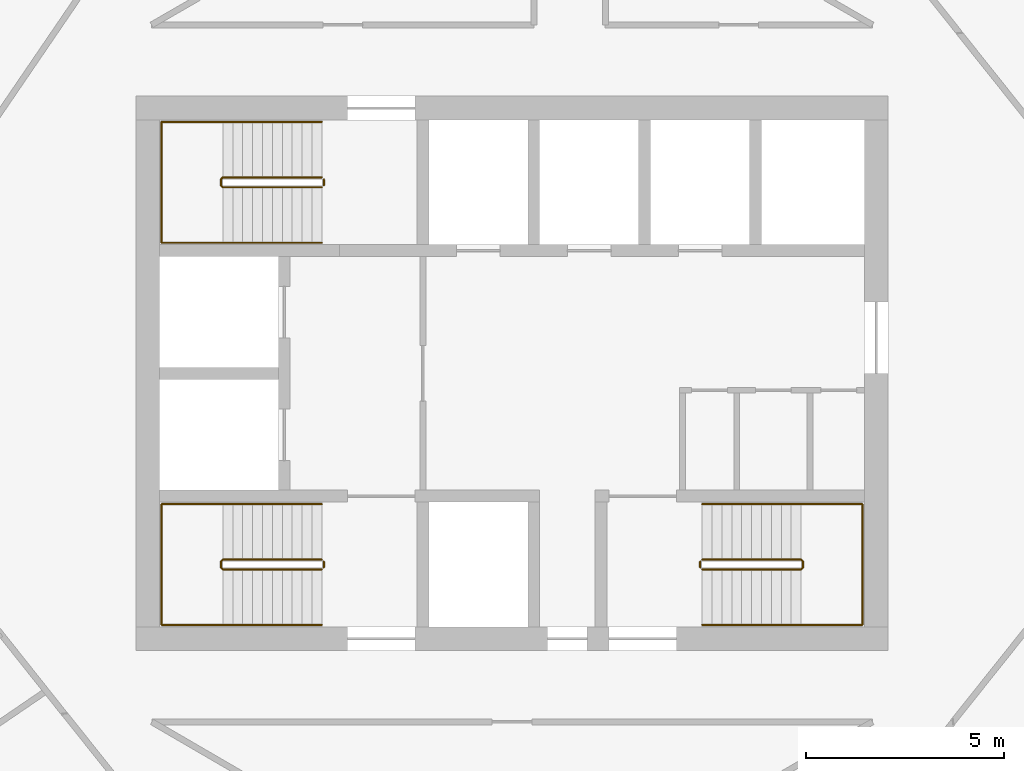
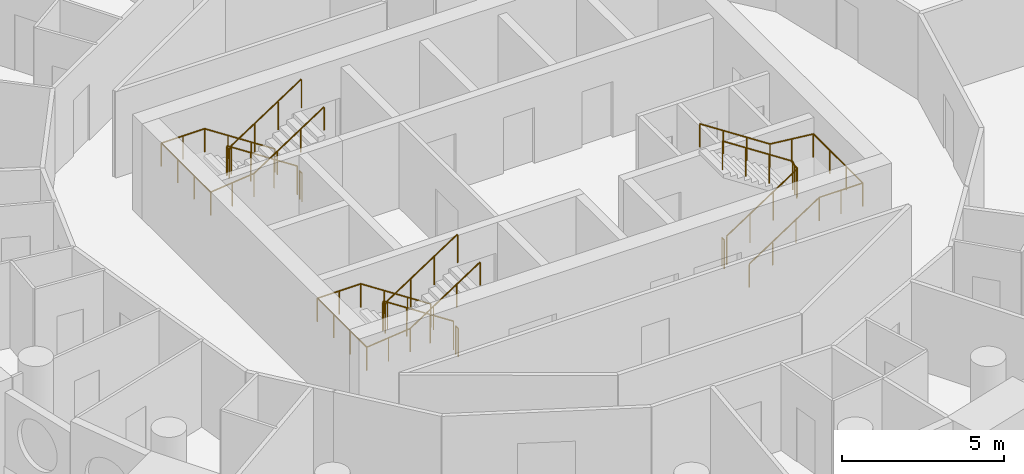
# One storey, part 11 of 11: 9 railings.
"""IFC4 building model written with IfcOpenShell, lengths in metres."""

from ifc_helpers import new_model, si_unit, direction, frame, origin, origin_2d, place, context, subcontext, project, spatial, circle, extrude, material, type_object, element, save


model = new_model("IFC4")

# Units and contexts
model_context = context("Model", 3, precision=1e-05, world=origin(), true_north=direction((0.0, 1.0)))
body_context = subcontext(model_context, "Body", "Model", "MODEL_VIEW")
ifc_project = project(units=[si_unit("LENGTHUNIT", "METRE"), si_unit("AREAUNIT", "SQUARE_METRE"), si_unit("VOLUMEUNIT", "CUBIC_METRE"), si_unit("PLANEANGLEUNIT", "RADIAN"), si_unit("MASSUNIT", "GRAM", prefix="KILO")], contexts=[model_context])

# Site, building, storey
site_placement = place(None, origin())
site = spatial("IfcSite", under=ifc_project, at=site_placement, CompositionType="ELEMENT")
building_placement = place(site_placement, origin())
building = spatial("IfcBuilding", under=site, at=building_placement, Name="Tracery Tower", CompositionType="ELEMENT")
storey_placement = place(building_placement, frame((0.0, 0.0, 267.0)))
storey = spatial("IfcBuildingStorey", under=building, at=storey_placement, Name="L69", CompositionType="ELEMENT", Elevation=267.0)

# Railings
ifc_material_1 = material(Name="Stainless steel and laminated glass", Category="steel")
railing_type_1 = type_object("IfcRailingType", Name="Stair guard 1100", PredefinedType="GUARDRAIL", material=ifc_material_1)
railing_1_placement = place(storey_placement, frame((-4.800048828125, -4.699951171875, 0.16357421875)))
element("IfcRailing", 1, at=railing_1_placement, inside=storey, type_object=railing_type_1, Name="L69 stair ST1 guard 1", PredefinedType="GUARDRAIL", context=body_context, shape_type="SweptSolid", body=[
    extrude(circle(Radius=0.02392578125, at=origin_2d()), frame((0.0, 0.0, 1.076171875), z_axis=(-0.83668449804, 0.0, 0.54768517484), x_axis=(0.0, -1.0, 0.0)), (0.0, 0.0, 1.0), 2.988037109375),
    extrude(circle(Radius=0.02392578125, at=origin_2d()), frame((-2.5, 0.0, 2.71240234375), z_axis=(-0.707106781187, -0.707106781187, 0.0), x_axis=(0.707106781187, -0.707106781187, 0.0)), (0.0, 0.0, 1.0), 0.07080078125),
    extrude(circle(Radius=0.02392578125, at=origin_2d()), frame((-2.550048828125, -0.050048828125, 2.71240234375), z_axis=(0.0, -1.0, 0.0), x_axis=(1.0, 0.0, 0.0)), (0.0, 0.0, 1.0), 0.14990234375),
    extrude(circle(Radius=0.02392578125, at=origin_2d()), frame((-2.550048828125, -0.199951171875, 2.71240234375), z_axis=(0.280808744504, -0.280808744504, 0.917765164963), x_axis=(0.707106781187, 0.707106781187, 0.0)), (0.0, 0.0, 1.0), 0.17822265625),
    extrude(circle(Radius=0.02392578125, at=origin_2d()), frame((-2.5, -0.25, 2.8759765625), z_axis=(0.83668449804, 0.0, 0.54768517484), x_axis=(0.0, 1.0, 0.0)), (0.0, 0.0, 1.0), 2.988037109375),
    extrude(circle(Radius=0.02099609375, at=origin_2d()), origin(), (0.0, 0.0, 1.0), 1.052001953125),
    extrude(circle(Radius=0.02099609375, at=origin_2d()), frame((-0.833251953125, 0.0, 0.54541015625)), (0.0, 0.0, 1.0), 1.052001953125),
    extrude(circle(Radius=0.02099609375, at=origin_2d()), frame((-1.666748046875, 0.0, 1.091064453125)), (0.0, 0.0, 1.0), 1.052001953125),
    extrude(circle(Radius=0.02099609375, at=origin_2d()), frame((-2.5, 0.0, 1.636474609375)), (0.0, 0.0, 1.0), 1.052001953125),
    extrude(circle(Radius=0.02099609375, at=origin_2d()), frame((-2.550048828125, -0.050048828125, 1.636474609375)), (0.0, 0.0, 1.0), 1.052001953125),
    extrude(circle(Radius=0.02099609375, at=origin_2d()), frame((-2.550048828125, -0.199951171875, 1.636474609375)), (0.0, 0.0, 1.0), 1.052001953125),
    extrude(circle(Radius=0.02099609375, at=origin_2d()), frame((-2.5, -0.25, 1.800048828125)), (0.0, 0.0, 1.0), 1.052001953125),
    extrude(circle(Radius=0.02099609375, at=origin_2d()), frame((-1.666748046875, -0.25, 2.345458984375)), (0.0, 0.0, 1.0), 1.052001953125),
    extrude(circle(Radius=0.02099609375, at=origin_2d()), frame((-0.833251953125, -0.25, 2.89111328125)), (0.0, 0.0, 1.0), 1.052001953125),
    extrude(circle(Radius=0.02099609375, at=origin_2d()), frame((0.0, -0.25, 3.4365234375)), (0.0, 0.0, 1.0), 1.052001953125),
])
railing_2_placement = place(storey_placement, frame((-4.75, -4.75, 0.0)))
element("IfcRailing", 2, at=railing_2_placement, inside=storey, type_object=railing_type_1, Name="L69 stair ST1 guard 2", PredefinedType="GUARDRAIL", context=body_context, shape_type="SweptSolid", body=[
    extrude(circle(Radius=0.02392578125, at=origin_2d()), frame((0.0, 0.0, 1.076171875), z_axis=(0.0, -1.0, 0.0), x_axis=(1.0, 0.0, 0.0)), (0.0, 0.0, 1.0), 0.14990234375),
    extrude(circle(Radius=0.02099609375, at=origin_2d()), origin(), (0.0, 0.0, 1.0), 1.052001953125),
    extrude(circle(Radius=0.02099609375, at=origin_2d()), frame((0.0, -0.14990234375, 0.0)), (0.0, 0.0, 1.0), 1.052001953125),
])
railing_3_placement = place(storey_placement, frame((-4.800048828125, 4.949951171875, 0.16357421875)))
element("IfcRailing", 3, at=railing_3_placement, inside=storey, type_object=railing_type_1, Name="L69 stair ST3 guard 1", PredefinedType="GUARDRAIL", context=body_context, shape_type="SweptSolid", body=[
    extrude(circle(Radius=0.02392578125, at=origin_2d()), frame((0.0, 0.0, 1.076171875), z_axis=(-0.83668449804, 0.0, 0.54768517484), x_axis=(0.0, -1.0, 0.0)), (0.0, 0.0, 1.0), 2.988037109375),
    extrude(circle(Radius=0.02392578125, at=origin_2d()), frame((-2.5, 0.0, 2.71240234375), z_axis=(-0.707106781187, -0.707106781187, 0.0), x_axis=(0.707106781187, -0.707106781187, 0.0)), (0.0, 0.0, 1.0), 0.07080078125),
    extrude(circle(Radius=0.02392578125, at=origin_2d()), frame((-2.550048828125, -0.050048828125, 2.71240234375), z_axis=(0.0, -1.0, 0.0), x_axis=(1.0, 0.0, 0.0)), (0.0, 0.0, 1.0), 0.14990234375),
    extrude(circle(Radius=0.02392578125, at=origin_2d()), frame((-2.550048828125, -0.199951171875, 2.71240234375), z_axis=(0.280808744504, -0.280808744504, 0.917765164963), x_axis=(0.707106781187, 0.707106781187, 0.0)), (0.0, 0.0, 1.0), 0.17822265625),
    extrude(circle(Radius=0.02392578125, at=origin_2d()), frame((-2.5, -0.25, 2.8759765625), z_axis=(0.83668449804, 0.0, 0.54768517484), x_axis=(0.0, 1.0, 0.0)), (0.0, 0.0, 1.0), 2.988037109375),
    extrude(circle(Radius=0.02099609375, at=origin_2d()), origin(), (0.0, 0.0, 1.0), 1.052001953125),
    extrude(circle(Radius=0.02099609375, at=origin_2d()), frame((-0.833251953125, 0.0, 0.54541015625)), (0.0, 0.0, 1.0), 1.052001953125),
    extrude(circle(Radius=0.02099609375, at=origin_2d()), frame((-1.666748046875, 0.0, 1.091064453125)), (0.0, 0.0, 1.0), 1.052001953125),
    extrude(circle(Radius=0.02099609375, at=origin_2d()), frame((-2.5, 0.0, 1.636474609375)), (0.0, 0.0, 1.0), 1.052001953125),
    extrude(circle(Radius=0.02099609375, at=origin_2d()), frame((-2.550048828125, -0.050048828125, 1.636474609375)), (0.0, 0.0, 1.0), 1.052001953125),
    extrude(circle(Radius=0.02099609375, at=origin_2d()), frame((-2.550048828125, -0.199951171875, 1.636474609375)), (0.0, 0.0, 1.0), 1.052001953125),
    extrude(circle(Radius=0.02099609375, at=origin_2d()), frame((-2.5, -0.25, 1.800048828125)), (0.0, 0.0, 1.0), 1.052001953125),
    extrude(circle(Radius=0.02099609375, at=origin_2d()), frame((-1.666748046875, -0.25, 2.345458984375)), (0.0, 0.0, 1.0), 1.052001953125),
    extrude(circle(Radius=0.02099609375, at=origin_2d()), frame((-0.833251953125, -0.25, 2.89111328125)), (0.0, 0.0, 1.0), 1.052001953125),
    extrude(circle(Radius=0.02099609375, at=origin_2d()), frame((0.0, -0.25, 3.4365234375)), (0.0, 0.0, 1.0), 1.052001953125),
])
railing_4_placement = place(storey_placement, frame((-4.75, 4.89990234375, 0.0)))
element("IfcRailing", 4, at=railing_4_placement, inside=storey, type_object=railing_type_1, Name="L69 stair ST3 guard 2", PredefinedType="GUARDRAIL", context=body_context, shape_type="SweptSolid", body=[
    extrude(circle(Radius=0.02392578125, at=origin_2d()), frame((0.0, 0.0, 1.076171875), z_axis=(0.0, -1.0, 0.0), x_axis=(1.0, 0.0, 0.0)), (0.0, 0.0, 1.0), 0.14990234375),
    extrude(circle(Radius=0.02099609375, at=origin_2d()), origin(), (0.0, 0.0, 1.0), 1.052001953125),
    extrude(circle(Radius=0.02099609375, at=origin_2d()), frame((0.0, -0.14990234375, 0.0)), (0.0, 0.0, 1.0), 1.052001953125),
])
railing_5_placement = place(storey_placement, frame((4.800048828125, -4.949951171875, 0.16357421875)))
element("IfcRailing", 5, at=railing_5_placement, inside=storey, type_object=railing_type_1, Name="L69 stair ST2 guard 1", PredefinedType="GUARDRAIL", context=body_context, shape_type="SweptSolid", body=[
    extrude(circle(Radius=0.02392578125, at=origin_2d()), frame((0.0, 0.0, 1.076171875), z_axis=(0.83668449804, 0.0, 0.54768517484), x_axis=(0.0, 1.0, 0.0)), (0.0, 0.0, 1.0), 2.988037109375),
    extrude(circle(Radius=0.02392578125, at=origin_2d()), frame((2.5, 0.0, 2.71240234375), z_axis=(0.707106781187, 0.707106781187, 0.0), x_axis=(-0.707106781187, 0.707106781187, 0.0)), (0.0, 0.0, 1.0), 0.07080078125),
    extrude(circle(Radius=0.02392578125, at=origin_2d()), frame((2.550048828125, 0.050048828125, 2.71240234375), z_axis=(0.0, 1.0, 0.0), x_axis=(-1.0, 0.0, 0.0)), (0.0, 0.0, 1.0), 0.14990234375),
    extrude(circle(Radius=0.02392578125, at=origin_2d()), frame((2.550048828125, 0.199951171875, 2.71240234375), z_axis=(-0.280808744504, 0.280808744504, 0.917765164963), x_axis=(-0.707106781187, -0.707106781187, 0.0)), (0.0, 0.0, 1.0), 0.17822265625),
    extrude(circle(Radius=0.02392578125, at=origin_2d()), frame((2.5, 0.25, 2.8759765625), z_axis=(-0.83668449804, 0.0, 0.54768517484), x_axis=(0.0, -1.0, 0.0)), (0.0, 0.0, 1.0), 2.988037109375),
    extrude(circle(Radius=0.02099609375, at=origin_2d()), origin(), (0.0, 0.0, 1.0), 1.052001953125),
    extrude(circle(Radius=0.02099609375, at=origin_2d()), frame((0.833251953125, 0.0, 0.54541015625)), (0.0, 0.0, 1.0), 1.052001953125),
    extrude(circle(Radius=0.02099609375, at=origin_2d()), frame((1.666748046875, 0.0, 1.091064453125)), (0.0, 0.0, 1.0), 1.052001953125),
    extrude(circle(Radius=0.02099609375, at=origin_2d()), frame((2.5, 0.0, 1.636474609375)), (0.0, 0.0, 1.0), 1.052001953125),
    extrude(circle(Radius=0.02099609375, at=origin_2d()), frame((2.550048828125, 0.050048828125, 1.636474609375)), (0.0, 0.0, 1.0), 1.052001953125),
    extrude(circle(Radius=0.02099609375, at=origin_2d()), frame((2.550048828125, 0.199951171875, 1.636474609375)), (0.0, 0.0, 1.0), 1.052001953125),
    extrude(circle(Radius=0.02099609375, at=origin_2d()), frame((2.5, 0.25, 1.800048828125)), (0.0, 0.0, 1.0), 1.052001953125),
    extrude(circle(Radius=0.02099609375, at=origin_2d()), frame((1.666748046875, 0.25, 2.345458984375)), (0.0, 0.0, 1.0), 1.052001953125),
    extrude(circle(Radius=0.02099609375, at=origin_2d()), frame((0.833251953125, 0.25, 2.89111328125)), (0.0, 0.0, 1.0), 1.052001953125),
    extrude(circle(Radius=0.02099609375, at=origin_2d()), frame((0.0, 0.25, 3.4365234375)), (0.0, 0.0, 1.0), 1.052001953125),
])
railing_6_placement = place(storey_placement, frame((4.75, -4.89990234375, 0.0)))
element("IfcRailing", 6, at=railing_6_placement, inside=storey, type_object=railing_type_1, Name="L69 stair ST2 guard 2", PredefinedType="GUARDRAIL", context=body_context, shape_type="SweptSolid", body=[
    extrude(circle(Radius=0.02392578125, at=origin_2d()), frame((0.0, 0.0, 1.076171875), z_axis=(0.0, 1.0, 0.0), x_axis=(-1.0, 0.0, 0.0)), (0.0, 0.0, 1.0), 0.14990234375),
    extrude(circle(Radius=0.02099609375, at=origin_2d()), origin(), (0.0, 0.0, 1.0), 1.052001953125),
    extrude(circle(Radius=0.02099609375, at=origin_2d()), frame((0.0, 0.14990234375, 0.0)), (0.0, 0.0, 1.0), 1.052001953125),
])
ifc_material_2 = material(Name="Stainless steel and laminated glass", Category="steel")
railing_type_2 = type_object("IfcRailingType", Name="Stair handrail 900", PredefinedType="HANDRAIL", material=ifc_material_2)
railing_7_placement = place(storey_placement, frame((-4.800048828125, -3.300048828125, 0.16357421875)))
element("IfcRailing", 7, at=railing_7_placement, inside=storey, type_object=railing_type_2, Name="L69 stair ST1 handrail 1", PredefinedType="HANDRAIL", context=body_context, shape_type="SweptSolid", body=[
    extrude(circle(Radius=0.02392578125, at=origin_2d()), frame((0.0, 0.0, 0.8759765625), z_axis=(-0.83668449804, 0.0, 0.54768517484), x_axis=(0.0, -1.0, 0.0)), (0.0, 0.0, 1.0), 2.988037109375),
    extrude(circle(Radius=0.02392578125, at=origin_2d()), frame((-2.5, 0.0, 2.51220703125), z_axis=(-1.0, 0.0, 0.0), x_axis=(0.0, -1.0, 0.0)), (0.0, 0.0, 1.0), 1.550048828125),
    extrude(circle(Radius=0.02392578125, at=origin_2d()), frame((-4.050048828125, 0.0, 2.51220703125), z_axis=(0.0, -1.0, 0.0), x_axis=(1.0, 0.0, 0.0)), (0.0, 0.0, 1.0), 3.050048828125),
    extrude(circle(Radius=0.02392578125, at=origin_2d()), frame((-4.050048828125, -3.050048828125, 2.51220703125), z_axis=(0.994477953863, 0.0, 0.104945696817), x_axis=(0.0, 1.0, 0.0)), (0.0, 0.0, 1.0), 1.55859375),
    extrude(circle(Radius=0.02392578125, at=origin_2d()), frame((-2.5, -3.050048828125, 2.67578125), z_axis=(0.83668449804, 0.0, 0.54768517484), x_axis=(0.0, 1.0, 0.0)), (0.0, 0.0, 1.0), 2.988037109375),
    extrude(circle(Radius=0.02099609375, at=origin_2d()), origin(), (0.0, 0.0, 1.0), 0.851806640625),
    extrude(circle(Radius=0.02099609375, at=origin_2d()), frame((-0.833251953125, 0.0, 0.54541015625)), (0.0, 0.0, 1.0), 0.851806640625),
    extrude(circle(Radius=0.02099609375, at=origin_2d()), frame((-1.666748046875, 0.0, 1.091064453125)), (0.0, 0.0, 1.0), 0.851806640625),
    extrude(circle(Radius=0.02099609375, at=origin_2d()), frame((-2.5, 0.0, 1.636474609375)), (0.0, 0.0, 1.0), 0.851806640625),
    extrude(circle(Radius=0.02099609375, at=origin_2d()), frame((-3.27490234375, 0.0, 1.636474609375)), (0.0, 0.0, 1.0), 0.851806640625),
    extrude(circle(Radius=0.02099609375, at=origin_2d()), frame((-4.050048828125, 0.0, 1.636474609375)), (0.0, 0.0, 1.0), 0.851806640625),
    extrude(circle(Radius=0.02099609375, at=origin_2d()), frame((-4.050048828125, -1.0166015625, 1.636474609375)), (0.0, 0.0, 1.0), 0.851806640625),
    extrude(circle(Radius=0.02099609375, at=origin_2d()), frame((-4.050048828125, -2.033447265625, 1.636474609375)), (0.0, 0.0, 1.0), 0.851806640625),
    extrude(circle(Radius=0.02099609375, at=origin_2d()), frame((-4.050048828125, -3.050048828125, 1.636474609375)), (0.0, 0.0, 1.0), 0.851806640625),
    extrude(circle(Radius=0.02099609375, at=origin_2d()), frame((-3.27490234375, -3.050048828125, 1.71826171875)), (0.0, 0.0, 1.0), 0.851806640625),
    extrude(circle(Radius=0.02099609375, at=origin_2d()), frame((-2.5, -3.050048828125, 1.800048828125)), (0.0, 0.0, 1.0), 0.851806640625),
    extrude(circle(Radius=0.02099609375, at=origin_2d()), frame((-1.666748046875, -3.050048828125, 2.345458984375)), (0.0, 0.0, 1.0), 0.851806640625),
    extrude(circle(Radius=0.02099609375, at=origin_2d()), frame((-0.833251953125, -3.050048828125, 2.89111328125)), (0.0, 0.0, 1.0), 0.851806640625),
    extrude(circle(Radius=0.02099609375, at=origin_2d()), frame((0.0, -3.050048828125, 3.4365234375)), (0.0, 0.0, 1.0), 0.851806640625),
])
railing_8_placement = place(storey_placement, frame((-4.800048828125, 6.35009765625, 0.16357421875)))
element("IfcRailing", 8, at=railing_8_placement, inside=storey, type_object=railing_type_2, Name="L69 stair ST3 handrail 1", PredefinedType="HANDRAIL", context=body_context, shape_type="SweptSolid", body=[
    extrude(circle(Radius=0.02392578125, at=origin_2d()), frame((0.0, 0.0, 0.8759765625), z_axis=(-0.83668449804, 0.0, 0.54768517484), x_axis=(0.0, -1.0, 0.0)), (0.0, 0.0, 1.0), 2.988037109375),
    extrude(circle(Radius=0.02392578125, at=origin_2d()), frame((-2.5, 0.0, 2.51220703125), z_axis=(-1.0, 0.0, 0.0), x_axis=(0.0, -1.0, 0.0)), (0.0, 0.0, 1.0), 1.550048828125),
    extrude(circle(Radius=0.02392578125, at=origin_2d()), frame((-4.050048828125, 0.0, 2.51220703125), z_axis=(0.0, -1.0, 0.0), x_axis=(1.0, 0.0, 0.0)), (0.0, 0.0, 1.0), 3.050048828125),
    extrude(circle(Radius=0.02392578125, at=origin_2d()), frame((-4.050048828125, -3.050048828125, 2.51220703125), z_axis=(0.994477953863, 0.0, 0.104945696817), x_axis=(0.0, 1.0, 0.0)), (0.0, 0.0, 1.0), 1.55859375),
    extrude(circle(Radius=0.02392578125, at=origin_2d()), frame((-2.5, -3.050048828125, 2.67578125), z_axis=(0.83668449804, 0.0, 0.54768517484), x_axis=(0.0, 1.0, 0.0)), (0.0, 0.0, 1.0), 2.988037109375),
    extrude(circle(Radius=0.02099609375, at=origin_2d()), origin(), (0.0, 0.0, 1.0), 0.851806640625),
    extrude(circle(Radius=0.02099609375, at=origin_2d()), frame((-0.833251953125, 0.0, 0.54541015625)), (0.0, 0.0, 1.0), 0.851806640625),
    extrude(circle(Radius=0.02099609375, at=origin_2d()), frame((-1.666748046875, 0.0, 1.091064453125)), (0.0, 0.0, 1.0), 0.851806640625),
    extrude(circle(Radius=0.02099609375, at=origin_2d()), frame((-2.5, 0.0, 1.636474609375)), (0.0, 0.0, 1.0), 0.851806640625),
    extrude(circle(Radius=0.02099609375, at=origin_2d()), frame((-3.27490234375, 0.0, 1.636474609375)), (0.0, 0.0, 1.0), 0.851806640625),
    extrude(circle(Radius=0.02099609375, at=origin_2d()), frame((-4.050048828125, 0.0, 1.636474609375)), (0.0, 0.0, 1.0), 0.851806640625),
    extrude(circle(Radius=0.02099609375, at=origin_2d()), frame((-4.050048828125, -1.0166015625, 1.636474609375)), (0.0, 0.0, 1.0), 0.851806640625),
    extrude(circle(Radius=0.02099609375, at=origin_2d()), frame((-4.050048828125, -2.033447265625, 1.636474609375)), (0.0, 0.0, 1.0), 0.851806640625),
    extrude(circle(Radius=0.02099609375, at=origin_2d()), frame((-4.050048828125, -3.050048828125, 1.636474609375)), (0.0, 0.0, 1.0), 0.851806640625),
    extrude(circle(Radius=0.02099609375, at=origin_2d()), frame((-3.27490234375, -3.050048828125, 1.71826171875)), (0.0, 0.0, 1.0), 0.851806640625),
    extrude(circle(Radius=0.02099609375, at=origin_2d()), frame((-2.5, -3.050048828125, 1.800048828125)), (0.0, 0.0, 1.0), 0.851806640625),
    extrude(circle(Radius=0.02099609375, at=origin_2d()), frame((-1.666748046875, -3.050048828125, 2.345458984375)), (0.0, 0.0, 1.0), 0.851806640625),
    extrude(circle(Radius=0.02099609375, at=origin_2d()), frame((-0.833251953125, -3.050048828125, 2.89111328125)), (0.0, 0.0, 1.0), 0.851806640625),
    extrude(circle(Radius=0.02099609375, at=origin_2d()), frame((0.0, -3.050048828125, 3.4365234375)), (0.0, 0.0, 1.0), 0.851806640625),
])
railing_9_placement = place(storey_placement, frame((4.800048828125, -6.35009765625, 0.16357421875)))
element("IfcRailing", 9, at=railing_9_placement, inside=storey, type_object=railing_type_2, Name="L69 stair ST2 handrail 1", PredefinedType="HANDRAIL", context=body_context, shape_type="SweptSolid", body=[
    extrude(circle(Radius=0.02392578125, at=origin_2d()), frame((0.0, 0.0, 0.8759765625), z_axis=(0.83668449804, 0.0, 0.54768517484), x_axis=(0.0, 1.0, 0.0)), (0.0, 0.0, 1.0), 2.988037109375),
    extrude(circle(Radius=0.02392578125, at=origin_2d()), frame((2.5, 0.0, 2.51220703125), z_axis=(1.0, 0.0, 0.0), x_axis=(0.0, 1.0, 0.0)), (0.0, 0.0, 1.0), 1.550048828125),
    extrude(circle(Radius=0.02392578125, at=origin_2d()), frame((4.050048828125, 0.0, 2.51220703125), z_axis=(0.0, 1.0, 0.0), x_axis=(-1.0, 0.0, 0.0)), (0.0, 0.0, 1.0), 3.050048828125),
    extrude(circle(Radius=0.02392578125, at=origin_2d()), frame((4.050048828125, 3.050048828125, 2.51220703125), z_axis=(-0.994477953863, 0.0, 0.104945696817), x_axis=(0.0, -1.0, 0.0)), (0.0, 0.0, 1.0), 1.55859375),
    extrude(circle(Radius=0.02392578125, at=origin_2d()), frame((2.5, 3.050048828125, 2.67578125), z_axis=(-0.83668449804, 0.0, 0.54768517484), x_axis=(0.0, -1.0, 0.0)), (0.0, 0.0, 1.0), 2.988037109375),
    extrude(circle(Radius=0.02099609375, at=origin_2d()), origin(), (0.0, 0.0, 1.0), 0.851806640625),
    extrude(circle(Radius=0.02099609375, at=origin_2d()), frame((0.833251953125, 0.0, 0.54541015625)), (0.0, 0.0, 1.0), 0.851806640625),
    extrude(circle(Radius=0.02099609375, at=origin_2d()), frame((1.666748046875, 0.0, 1.091064453125)), (0.0, 0.0, 1.0), 0.851806640625),
    extrude(circle(Radius=0.02099609375, at=origin_2d()), frame((2.5, 0.0, 1.636474609375)), (0.0, 0.0, 1.0), 0.851806640625),
    extrude(circle(Radius=0.02099609375, at=origin_2d()), frame((3.27490234375, 0.0, 1.636474609375)), (0.0, 0.0, 1.0), 0.851806640625),
    extrude(circle(Radius=0.02099609375, at=origin_2d()), frame((4.050048828125, 0.0, 1.636474609375)), (0.0, 0.0, 1.0), 0.851806640625),
    extrude(circle(Radius=0.02099609375, at=origin_2d()), frame((4.050048828125, 1.0166015625, 1.636474609375)), (0.0, 0.0, 1.0), 0.851806640625),
    extrude(circle(Radius=0.02099609375, at=origin_2d()), frame((4.050048828125, 2.033447265625, 1.636474609375)), (0.0, 0.0, 1.0), 0.851806640625),
    extrude(circle(Radius=0.02099609375, at=origin_2d()), frame((4.050048828125, 3.050048828125, 1.636474609375)), (0.0, 0.0, 1.0), 0.851806640625),
    extrude(circle(Radius=0.02099609375, at=origin_2d()), frame((3.27490234375, 3.050048828125, 1.71826171875)), (0.0, 0.0, 1.0), 0.851806640625),
    extrude(circle(Radius=0.02099609375, at=origin_2d()), frame((2.5, 3.050048828125, 1.800048828125)), (0.0, 0.0, 1.0), 0.851806640625),
    extrude(circle(Radius=0.02099609375, at=origin_2d()), frame((1.666748046875, 3.050048828125, 2.345458984375)), (0.0, 0.0, 1.0), 0.851806640625),
    extrude(circle(Radius=0.02099609375, at=origin_2d()), frame((0.833251953125, 3.050048828125, 2.89111328125)), (0.0, 0.0, 1.0), 0.851806640625),
    extrude(circle(Radius=0.02099609375, at=origin_2d()), frame((0.0, 3.050048828125, 3.4365234375)), (0.0, 0.0, 1.0), 0.851806640625),
])

save(model, "model.ifc")
